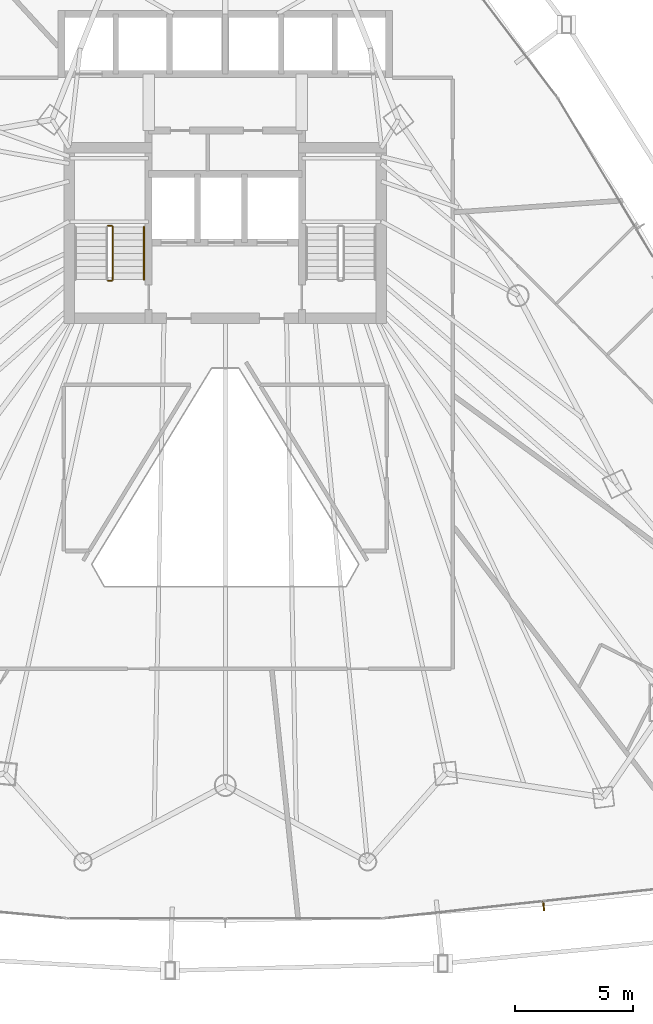
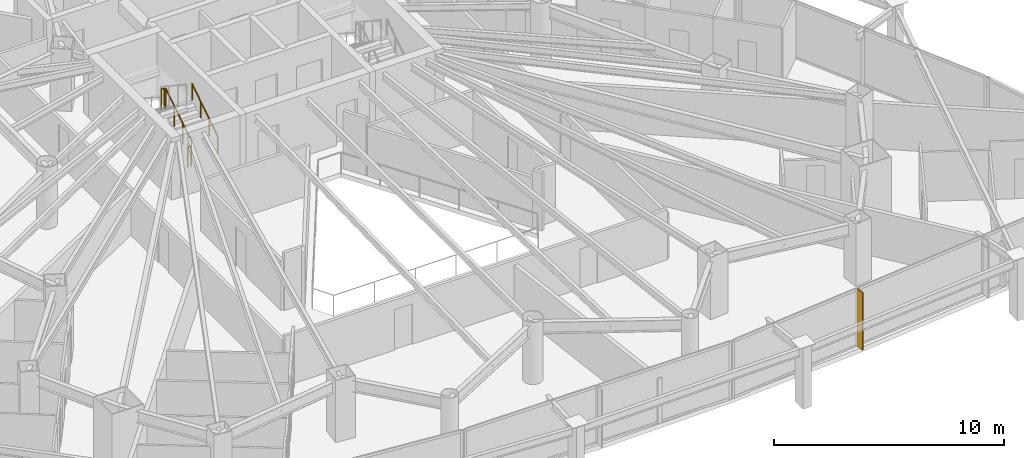
# One storey, part 33 of 35: 4 railings, 1 shading device.
"""IFC4 building model written with IfcOpenShell, lengths in metres."""

from ifc_helpers import new_model, si_unit, direction, frame, origin, origin_2d, place, context, subcontext, project, spatial, rectangle, circle, extrude, material, layer, layer_set, type_object, element, save


model = new_model("IFC4")

# Units and contexts
model_context = context("Model", 3, precision=1e-05, world=origin(), true_north=direction((0.0, 1.0)))
body_context = subcontext(model_context, "Body", "Model", "MODEL_VIEW")
ifc_project = project(units=[si_unit("LENGTHUNIT", "METRE"), si_unit("AREAUNIT", "SQUARE_METRE"), si_unit("VOLUMEUNIT", "CUBIC_METRE"), si_unit("PLANEANGLEUNIT", "RADIAN"), si_unit("MASSUNIT", "GRAM", prefix="KILO")], contexts=[model_context])

# Site, building, storey
site_placement = place(None, origin())
site = spatial("IfcSite", under=ifc_project, at=site_placement, CompositionType="ELEMENT")
building_placement = place(site_placement, origin())
building = spatial("IfcBuilding", under=site, at=building_placement, Name="Orvanel Arch Residences", CompositionType="ELEMENT")
storey_placement = place(building_placement, frame((0.0, 0.0, 30.199951171875)))
storey = spatial("IfcBuildingStorey", under=building, at=storey_placement, Name="L07", CompositionType="ELEMENT", Elevation=30.199951171875)

# Shading device
ifc_material_1 = material(Name="Bronze-anodised aluminium AA6063-T6", Category="aluminium")
ifc_layer = layer(ifc_material_1, 0.06005859375)
ifc_layer_set = layer_set([ifc_layer], Name="Bronze-anodised aluminium AA6063-T6")
shading_device_type = type_object("IfcShadingDeviceType", Name="FIN-BRZ-380", PredefinedType="USERDEFINED", material=ifc_layer_set)
shading_device_placement = place(storey_placement, frame((46.51806640625, 1.712890625, 0.0), z_axis=(0.0, 0.0, 1.0), x_axis=(0.106264071336, -0.994337944133, 0.0)))
element("IfcShadingDevice", 1, at=shading_device_placement, inside=storey, type_object=shading_device_type, Name="L07 Anodised Bronze Mullion FIN 01", ObjectType="FIN", PredefinedType="USERDEFINED", context=body_context, shape_type="SweptSolid", body=[
    extrude(rectangle(XDim=0.3798828125, YDim=0.06005859375, at=origin_2d()), origin(), (0.0, 0.0, 1.0), 3.06005859375),
])

# Railings
ifc_material_2 = material(Name="Structural steel AS/NZS 1163 C350L0 (Grade 350)", Category="steel")
railing_type_1 = type_object("IfcRailingType", Name="RL-STAIR-GUARD", PredefinedType="GUARDRAIL", material=ifc_material_2)
railing_1_placement = place(storey_placement, frame((28.22998046875, 28.320068359375, 0.183349609375)))
element("IfcRailing", 2, at=railing_1_placement, inside=storey, type_object=railing_type_1, Name="L07 ST-1 stair guard 1", PredefinedType="GUARDRAIL", context=body_context, shape_type="SweptSolid", body=[
    extrude(circle(Radius=0.02392578125, at=origin_2d()), frame((0.0, 0.001220703125, 1.076904296875), z_axis=(0.0, 0.836595146698, 0.547821650285), x_axis=(-1.0, 0.0, 0.0)), (0.0, 0.0, 1.0), 2.674560546875),
    extrude(circle(Radius=0.02099609375, at=origin_2d()), origin(), (0.0, 0.0, 1.0), 1.050048828125),
    extrude(circle(Radius=0.02099609375, at=origin_2d()), frame((0.0, 0.74658203125, 0.489013671875)), (0.0, 0.0, 1.0), 1.050048828125),
    extrude(circle(Radius=0.02099609375, at=origin_2d()), frame((0.0, 1.493408203125, 0.977783203125)), (0.0, 0.0, 1.0), 1.050048828125),
    extrude(circle(Radius=0.02099609375, at=origin_2d()), frame((0.0, 2.239990234375, 1.466796875)), (0.0, 0.0, 1.0), 1.050048828125),
])
for number, where, name in (
    (3, (28.179931640625, 30.610107421875, 1.650146484375), "L07 ST-1 stair guard 2"),
    (4, (28.179931640625, 28.27001953125, 0.0), "L07 ST-1 stair guard 4"),
):
    element("IfcRailing", number, at=place(storey_placement, frame(where)), inside=storey, type_object=railing_type_1, Name=name, PredefinedType="GUARDRAIL", context=body_context, shape_type="SweptSolid", body=[
        extrude(circle(Radius=0.02392578125, at=origin_2d()), frame((-0.00146484375, 0.0, 1.076171875), z_axis=(-1.0, 0.0, 0.0), x_axis=(0.0, -1.0, 0.0)), (0.0, 0.0, 1.0), 0.156982421875),
        extrude(circle(Radius=0.02099609375, at=origin_2d()), origin(), (0.0, 0.0, 1.0), 1.050048828125),
        extrude(circle(Radius=0.02099609375, at=origin_2d()), frame((-0.159912109375, 0.0, 0.0)), (0.0, 0.0, 1.0), 1.050048828125),
    ])
railing_type_2 = type_object("IfcRailingType", Name="RL-STAIR-HAND", PredefinedType="HANDRAIL", material=ifc_material_2)
railing_2_placement = place(storey_placement, frame((29.550048828125, 28.320068359375, 0.183349609375)))
element("IfcRailing", 5, at=railing_2_placement, inside=storey, type_object=railing_type_2, Name="L07 ST-1 stair handrail 1", PredefinedType="HANDRAIL", context=body_context, shape_type="SweptSolid", body=[
    extrude(circle(Radius=0.02392578125, at=origin_2d()), frame((0.0, 0.001220703125, 0.876708984375), z_axis=(0.0, 0.836595146698, 0.547821650285), x_axis=(-1.0, 0.0, 0.0)), (0.0, 0.0, 1.0), 2.674560546875),
    extrude(circle(Radius=0.02099609375, at=origin_2d()), origin(), (0.0, 0.0, 1.0), 0.849853515625),
    extrude(circle(Radius=0.02099609375, at=origin_2d()), frame((0.0, 0.74658203125, 0.489013671875)), (0.0, 0.0, 1.0), 0.849853515625),
    extrude(circle(Radius=0.02099609375, at=origin_2d()), frame((0.0, 1.493408203125, 0.977783203125)), (0.0, 0.0, 1.0), 0.849853515625),
    extrude(circle(Radius=0.02099609375, at=origin_2d()), frame((0.0, 2.239990234375, 1.466796875)), (0.0, 0.0, 1.0), 0.849853515625),
])

save(model, "model.ifc")
